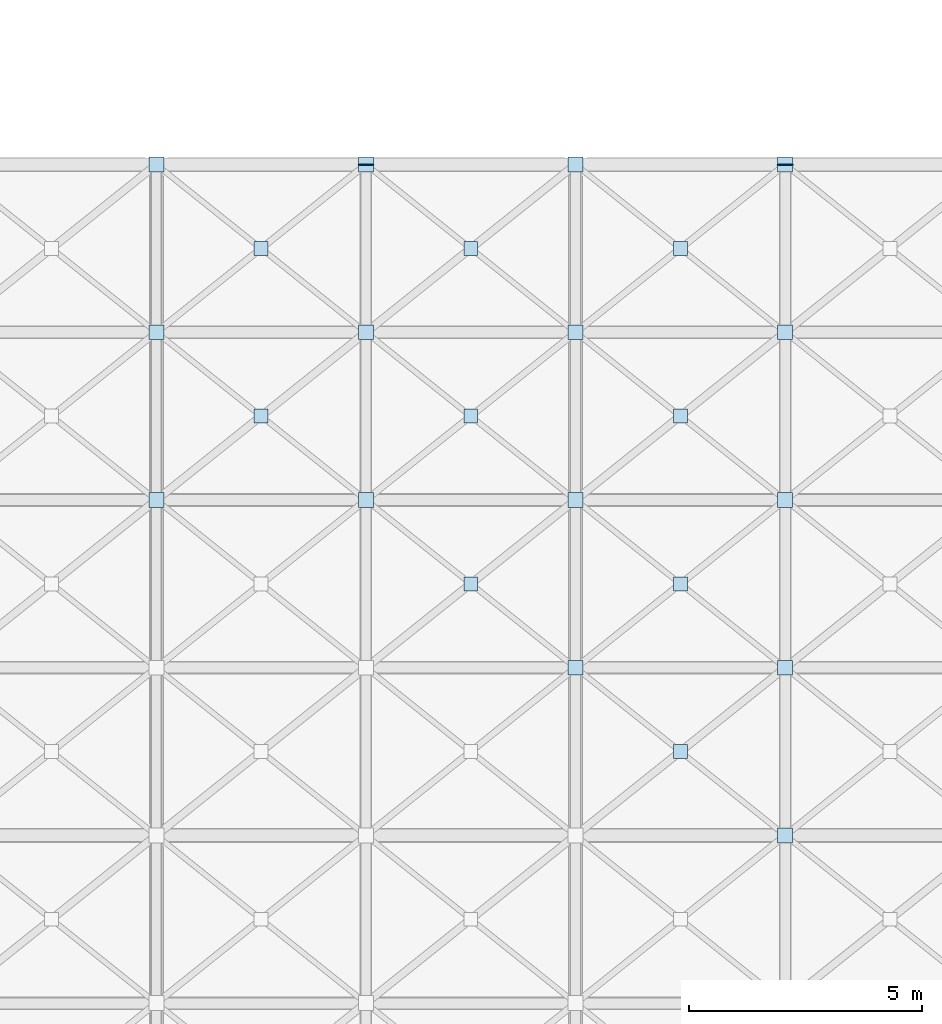
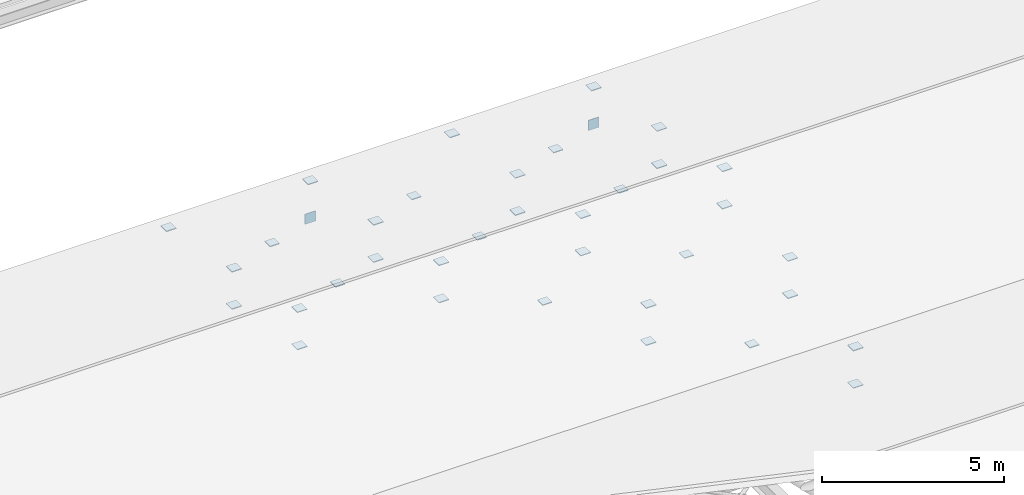
# One storey, part 83 of 110: 37 plates.
"""IFC4 building model written with IfcOpenShell, lengths in metres."""

from ifc_helpers import new_model, si_unit, direction, frame, origin, origin_2d, place, context, subcontext, project, spatial, rectangle, extrude, material, layer, layer_set, type_object, element, save


model = new_model("IFC4")

# Units and contexts
model_context = context("Model", 3, precision=1e-05, world=origin(), true_north=direction((0.0, 1.0)))
body_context = subcontext(model_context, "Body", "Model", "MODEL_VIEW")
ifc_project = project(units=[si_unit("LENGTHUNIT", "METRE"), si_unit("AREAUNIT", "SQUARE_METRE"), si_unit("VOLUMEUNIT", "CUBIC_METRE"), si_unit("PLANEANGLEUNIT", "RADIAN"), si_unit("MASSUNIT", "GRAM", prefix="KILO")], contexts=[model_context])

# Site, building, storey
site_placement = place(None, origin())
site = spatial("IfcSite", under=ifc_project, at=site_placement, CompositionType="ELEMENT")
building_placement = place(site_placement, origin())
building = spatial("IfcBuilding", under=site, at=building_placement, Name="Tamarisk Ironworks Central Station", CompositionType="ELEMENT")
storey_placement = place(building_placement, frame((0.0, 0.0, 17.39990234375)))
storey = spatial("IfcBuildingStorey", under=building, at=storey_placement, Name="L03", CompositionType="ELEMENT", Elevation=17.39990234375)

# Plates
ifc_material_1 = material(Name="Painted structural steel S355J2", Category="steel")
ifc_layer_1 = layer(ifc_material_1, 0.01611328125)
ifc_layer_set_1 = layer_set([ifc_layer_1], Name="Painted structural steel S355J2")
plate_type_1 = type_object("IfcPlateType", Name="PL-EC16", PredefinedType="SHEET", material=ifc_layer_set_1)
for number, where, z_axis, x_axis, name in (
    (1, (22.5, 79.199951171875, -1.89013671875), (0.0, 0.0, 1.0), (1.0, 0.0, 0.0), "Hollow section welded end-cap plate 36"),
    (2, (31.5, 79.199951171875, -1.89013671875), (0.0, 0.0, 1.0), (1.0, 0.0, 0.0), "Hollow section welded end-cap plate 37"),
):
    element("IfcPlate", number, at=place(storey_placement, frame(where, z_axis=z_axis, x_axis=x_axis)), inside=storey, type_object=plate_type_1, Name=name, PredefinedType="SHEET", context=body_context, shape_type="SweptSolid", body=[
        extrude(rectangle(XDim=0.340087890625, YDim=0.02392578125, at=origin_2d()), origin(), (0.0, 0.0, 1.0), 0.340087890625),
    ])
ifc_material_2 = material(Name="Structural steel S355J2H", Category="steel")
ifc_layer_2 = layer(ifc_material_2, 0.02587890625)
ifc_layer_set_2 = layer_set([ifc_layer_2], Name="Structural steel S355J2H")
plate_type_2 = type_object("IfcPlateType", Name="PL-ND26", PredefinedType="SHEET", material=ifc_layer_set_2)
for number, where, z_axis, x_axis, name in (
    (3, (31.5, 64.800048828125, -0.48291015625), (0.0, 0.0, 1.0), (1.0, 0.0, 0.0), "Space-frame collector node plate 0343"),
    (4, (18.0, 72.0, 1.167236328125), (0.0, 0.0, 1.0), (1.0, 0.0, 0.0), "Space-frame collector node plate 0429"),
    (5, (18.0, 72.0, -0.082763671875), (0.0, 0.0, 1.0), (1.0, 0.0, 0.0), "Space-frame collector node plate 0431"),
    (6, (18.0, 75.60009765625, 0.342041015625), (0.0, 0.0, 1.0), (1.0, 0.0, 0.0), "Space-frame collector node plate 0432"),
    (7, (18.0, 75.60009765625, -0.907958984375), (0.0, 0.0, 1.0), (1.0, 0.0, 0.0), "Space-frame collector node plate 0434"),
    (8, (18.0, 79.199951171875, -0.48291015625), (0.0, 0.0, 1.0), (1.0, 0.0, 0.0), "Space-frame collector node plate 0435"),
    (9, (22.5, 72.0, 1.167236328125), (0.0, 0.0, 1.0), (1.0, 0.0, 0.0), "Space-frame collector node plate 0441"),
):
    element("IfcPlate", number, at=place(storey_placement, frame(where, z_axis=z_axis, x_axis=x_axis)), inside=storey, type_object=plate_type_2, Name=name, PredefinedType="SHEET", context=body_context, shape_type="SweptSolid", body=[
        extrude(rectangle(XDim=0.320068359375, YDim=0.320068359375, at=origin_2d()), origin(), (0.0, 0.0, 1.0), 0.02587890625),
    ])
plate_1_placement = place(storey_placement, frame((20.25, 73.800048828125, 0.129638671875), z_axis=(0.0, 0.0, 1.0), x_axis=(1.0, 0.0, 0.0)))
element("IfcPlate", 10, at=plate_1_placement, inside=storey, type_object=plate_type_2, Name="Space-frame X-brace crossing gusset plate 0442", PredefinedType="SHEET", context=body_context, shape_type="SweptSolid", body=[
    extrude(rectangle(XDim=0.300048828125, YDim=0.300048828125, at=origin_2d()), origin(), (0.0, 0.0, 1.0), 0.02587890625),
])
for number, where, z_axis, x_axis, name in (
    (11, (22.5, 72.0, -0.082763671875), (0.0, 0.0, 1.0), (1.0, 0.0, 0.0), "Space-frame collector node plate 0443"),
    (12, (22.5, 75.60009765625, 0.342041015625), (0.0, 0.0, 1.0), (1.0, 0.0, 0.0), "Space-frame collector node plate 0444"),
):
    element("IfcPlate", number, at=place(storey_placement, frame(where, z_axis=z_axis, x_axis=x_axis)), inside=storey, type_object=plate_type_2, Name=name, PredefinedType="SHEET", context=body_context, shape_type="SweptSolid", body=[
        extrude(rectangle(XDim=0.320068359375, YDim=0.320068359375, at=origin_2d()), origin(), (0.0, 0.0, 1.0), 0.02587890625),
    ])
plate_2_placement = place(storey_placement, frame((20.25, 77.39990234375, -0.6953125), z_axis=(0.0, 0.0, 1.0), x_axis=(1.0, 0.0, 0.0)))
element("IfcPlate", 13, at=plate_2_placement, inside=storey, type_object=plate_type_2, Name="Space-frame X-brace crossing gusset plate 0445", PredefinedType="SHEET", context=body_context, shape_type="SweptSolid", body=[
    extrude(rectangle(XDim=0.300048828125, YDim=0.300048828125, at=origin_2d()), origin(), (0.0, 0.0, 1.0), 0.02587890625),
])
for number, where, z_axis, x_axis, name in (
    (14, (22.5, 75.60009765625, -0.907958984375), (0.0, 0.0, 1.0), (1.0, 0.0, 0.0), "Space-frame collector node plate 0446"),
    (15, (22.5, 79.199951171875, -0.48291015625), (0.0, 0.0, 1.0), (1.0, 0.0, 0.0), "Space-frame collector node plate 0447"),
    (16, (27.0, 68.39990234375, 0.342041015625), (0.0, 0.0, 1.0), (1.0, 0.0, 0.0), "Space-frame collector node plate 0450"),
):
    element("IfcPlate", number, at=place(storey_placement, frame(where, z_axis=z_axis, x_axis=x_axis)), inside=storey, type_object=plate_type_2, Name=name, PredefinedType="SHEET", context=body_context, shape_type="SweptSolid", body=[
        extrude(rectangle(XDim=0.320068359375, YDim=0.320068359375, at=origin_2d()), origin(), (0.0, 0.0, 1.0), 0.02587890625),
    ])
plate_3_placement = place(storey_placement, frame((24.75, 70.199951171875, 0.129638671875), z_axis=(0.0, 0.0, 1.0), x_axis=(1.0, 0.0, 0.0)))
element("IfcPlate", 17, at=plate_3_placement, inside=storey, type_object=plate_type_2, Name="Space-frame X-brace crossing gusset plate 0451", PredefinedType="SHEET", context=body_context, shape_type="SweptSolid", body=[
    extrude(rectangle(XDim=0.300048828125, YDim=0.300048828125, at=origin_2d()), origin(), (0.0, 0.0, 1.0), 0.02587890625),
])
for number, where, z_axis, x_axis, name in (
    (18, (27.0, 68.39990234375, -0.907958984375), (0.0, 0.0, 1.0), (1.0, 0.0, 0.0), "Space-frame collector node plate 0452"),
    (19, (27.0, 72.0, 1.167236328125), (0.0, 0.0, 1.0), (1.0, 0.0, 0.0), "Space-frame collector node plate 0453"),
):
    element("IfcPlate", number, at=place(storey_placement, frame(where, z_axis=z_axis, x_axis=x_axis)), inside=storey, type_object=plate_type_2, Name=name, PredefinedType="SHEET", context=body_context, shape_type="SweptSolid", body=[
        extrude(rectangle(XDim=0.320068359375, YDim=0.320068359375, at=origin_2d()), origin(), (0.0, 0.0, 1.0), 0.02587890625),
    ])
plate_4_placement = place(storey_placement, frame((24.75, 73.800048828125, 0.129638671875), z_axis=(0.0, 0.0, 1.0), x_axis=(1.0, 0.0, 0.0)))
element("IfcPlate", 20, at=plate_4_placement, inside=storey, type_object=plate_type_2, Name="Space-frame X-brace crossing gusset plate 0454", PredefinedType="SHEET", context=body_context, shape_type="SweptSolid", body=[
    extrude(rectangle(XDim=0.300048828125, YDim=0.300048828125, at=origin_2d()), origin(), (0.0, 0.0, 1.0), 0.02587890625),
])
for number, where, z_axis, x_axis, name in (
    (21, (27.0, 72.0, -0.082763671875), (0.0, 0.0, 1.0), (1.0, 0.0, 0.0), "Space-frame collector node plate 0455"),
    (22, (27.0, 75.60009765625, 0.342041015625), (0.0, 0.0, 1.0), (1.0, 0.0, 0.0), "Space-frame collector node plate 0456"),
):
    element("IfcPlate", number, at=place(storey_placement, frame(where, z_axis=z_axis, x_axis=x_axis)), inside=storey, type_object=plate_type_2, Name=name, PredefinedType="SHEET", context=body_context, shape_type="SweptSolid", body=[
        extrude(rectangle(XDim=0.320068359375, YDim=0.320068359375, at=origin_2d()), origin(), (0.0, 0.0, 1.0), 0.02587890625),
    ])
plate_5_placement = place(storey_placement, frame((24.75, 77.39990234375, -0.6953125), z_axis=(0.0, 0.0, 1.0), x_axis=(1.0, 0.0, 0.0)))
element("IfcPlate", 23, at=plate_5_placement, inside=storey, type_object=plate_type_2, Name="Space-frame X-brace crossing gusset plate 0457", PredefinedType="SHEET", context=body_context, shape_type="SweptSolid", body=[
    extrude(rectangle(XDim=0.300048828125, YDim=0.300048828125, at=origin_2d()), origin(), (0.0, 0.0, 1.0), 0.02587890625),
])
for number, where, z_axis, x_axis, name in (
    (24, (27.0, 75.60009765625, -0.907958984375), (0.0, 0.0, 1.0), (1.0, 0.0, 0.0), "Space-frame collector node plate 0458"),
    (25, (27.0, 79.199951171875, -0.48291015625), (0.0, 0.0, 1.0), (1.0, 0.0, 0.0), "Space-frame collector node plate 0459"),
):
    element("IfcPlate", number, at=place(storey_placement, frame(where, z_axis=z_axis, x_axis=x_axis)), inside=storey, type_object=plate_type_2, Name=name, PredefinedType="SHEET", context=body_context, shape_type="SweptSolid", body=[
        extrude(rectangle(XDim=0.320068359375, YDim=0.320068359375, at=origin_2d()), origin(), (0.0, 0.0, 1.0), 0.02587890625),
    ])
plate_6_placement = place(storey_placement, frame((29.25, 66.60009765625, -0.6953125), z_axis=(0.0, 0.0, 1.0), x_axis=(1.0, 0.0, 0.0)))
element("IfcPlate", 26, at=plate_6_placement, inside=storey, type_object=plate_type_2, Name="Space-frame X-brace crossing gusset plate 0460", PredefinedType="SHEET", context=body_context, shape_type="SweptSolid", body=[
    extrude(rectangle(XDim=0.300048828125, YDim=0.300048828125, at=origin_2d()), origin(), (0.0, 0.0, 1.0), 0.02587890625),
])
for number, where, z_axis, x_axis, name in (
    (27, (31.5, 64.800048828125, -1.73291015625), (0.0, 0.0, 1.0), (1.0, 0.0, 0.0), "Space-frame collector node plate 0461"),
    (28, (31.5, 68.39990234375, 0.342041015625), (0.0, 0.0, 1.0), (1.0, 0.0, 0.0), "Space-frame collector node plate 0462"),
):
    element("IfcPlate", number, at=place(storey_placement, frame(where, z_axis=z_axis, x_axis=x_axis)), inside=storey, type_object=plate_type_2, Name=name, PredefinedType="SHEET", context=body_context, shape_type="SweptSolid", body=[
        extrude(rectangle(XDim=0.320068359375, YDim=0.320068359375, at=origin_2d()), origin(), (0.0, 0.0, 1.0), 0.02587890625),
    ])
plate_7_placement = place(storey_placement, frame((29.25, 70.199951171875, 0.129638671875), z_axis=(0.0, 0.0, 1.0), x_axis=(1.0, 0.0, 0.0)))
element("IfcPlate", 29, at=plate_7_placement, inside=storey, type_object=plate_type_2, Name="Space-frame X-brace crossing gusset plate 0463", PredefinedType="SHEET", context=body_context, shape_type="SweptSolid", body=[
    extrude(rectangle(XDim=0.300048828125, YDim=0.300048828125, at=origin_2d()), origin(), (0.0, 0.0, 1.0), 0.02587890625),
])
for number, where, z_axis, x_axis, name in (
    (30, (31.5, 68.39990234375, -0.907958984375), (0.0, 0.0, 1.0), (1.0, 0.0, 0.0), "Space-frame collector node plate 0464"),
    (31, (31.5, 72.0, 1.167236328125), (0.0, 0.0, 1.0), (1.0, 0.0, 0.0), "Space-frame collector node plate 0465"),
):
    element("IfcPlate", number, at=place(storey_placement, frame(where, z_axis=z_axis, x_axis=x_axis)), inside=storey, type_object=plate_type_2, Name=name, PredefinedType="SHEET", context=body_context, shape_type="SweptSolid", body=[
        extrude(rectangle(XDim=0.320068359375, YDim=0.320068359375, at=origin_2d()), origin(), (0.0, 0.0, 1.0), 0.02587890625),
    ])
plate_8_placement = place(storey_placement, frame((29.25, 73.800048828125, 0.129638671875), z_axis=(0.0, 0.0, 1.0), x_axis=(1.0, 0.0, 0.0)))
element("IfcPlate", 32, at=plate_8_placement, inside=storey, type_object=plate_type_2, Name="Space-frame X-brace crossing gusset plate 0466", PredefinedType="SHEET", context=body_context, shape_type="SweptSolid", body=[
    extrude(rectangle(XDim=0.300048828125, YDim=0.300048828125, at=origin_2d()), origin(), (0.0, 0.0, 1.0), 0.02587890625),
])
for number, where, z_axis, x_axis, name in (
    (33, (31.5, 72.0, -0.082763671875), (0.0, 0.0, 1.0), (1.0, 0.0, 0.0), "Space-frame collector node plate 0467"),
    (34, (31.5, 75.60009765625, 0.342041015625), (0.0, 0.0, 1.0), (1.0, 0.0, 0.0), "Space-frame collector node plate 0468"),
):
    element("IfcPlate", number, at=place(storey_placement, frame(where, z_axis=z_axis, x_axis=x_axis)), inside=storey, type_object=plate_type_2, Name=name, PredefinedType="SHEET", context=body_context, shape_type="SweptSolid", body=[
        extrude(rectangle(XDim=0.320068359375, YDim=0.320068359375, at=origin_2d()), origin(), (0.0, 0.0, 1.0), 0.02587890625),
    ])
plate_9_placement = place(storey_placement, frame((29.25, 77.39990234375, -0.6953125), z_axis=(0.0, 0.0, 1.0), x_axis=(1.0, 0.0, 0.0)))
element("IfcPlate", 35, at=plate_9_placement, inside=storey, type_object=plate_type_2, Name="Space-frame X-brace crossing gusset plate 0469", PredefinedType="SHEET", context=body_context, shape_type="SweptSolid", body=[
    extrude(rectangle(XDim=0.300048828125, YDim=0.300048828125, at=origin_2d()), origin(), (0.0, 0.0, 1.0), 0.02587890625),
])
for number, where, z_axis, x_axis, name in (
    (36, (31.5, 75.60009765625, -0.907958984375), (0.0, 0.0, 1.0), (1.0, 0.0, 0.0), "Space-frame collector node plate 0470"),
    (37, (31.5, 79.199951171875, -0.48291015625), (0.0, 0.0, 1.0), (1.0, 0.0, 0.0), "Space-frame collector node plate 0471"),
):
    element("IfcPlate", number, at=place(storey_placement, frame(where, z_axis=z_axis, x_axis=x_axis)), inside=storey, type_object=plate_type_2, Name=name, PredefinedType="SHEET", context=body_context, shape_type="SweptSolid", body=[
        extrude(rectangle(XDim=0.320068359375, YDim=0.320068359375, at=origin_2d()), origin(), (0.0, 0.0, 1.0), 0.02587890625),
    ])

save(model, "model.ifc")
